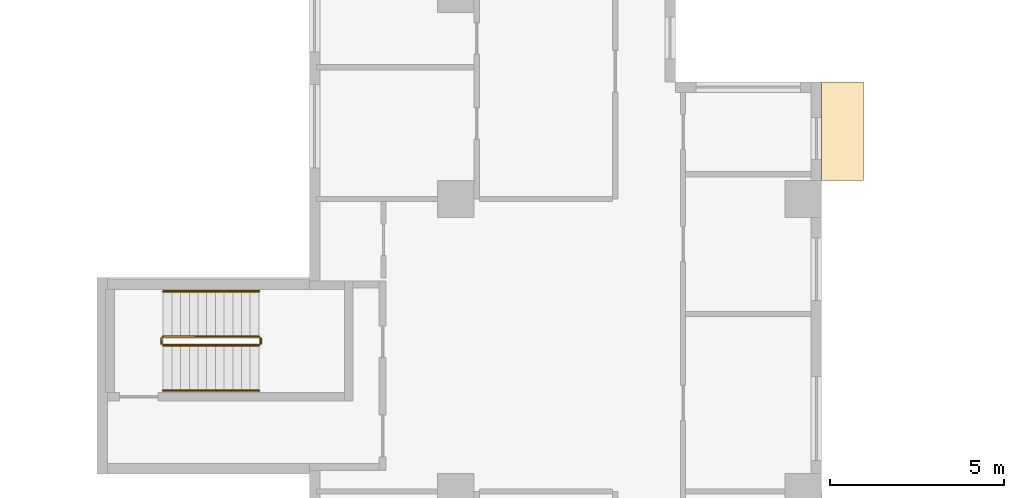
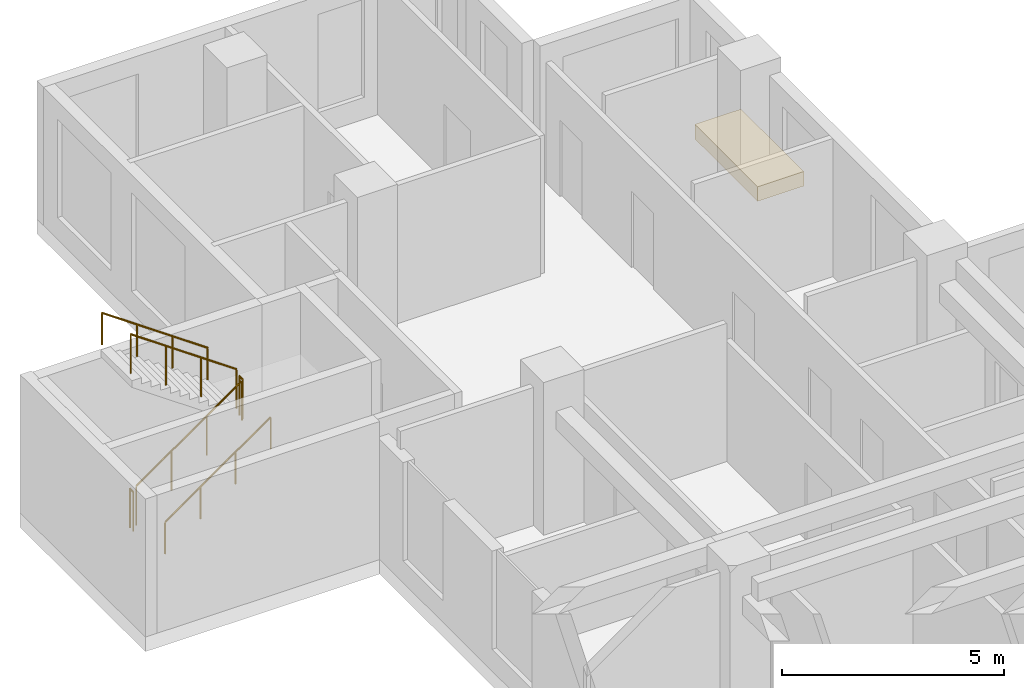
# One storey, part 14 of 15: 6 railings, 1 covering.
"""IFC4 building model written with IfcOpenShell, lengths in metres."""

from ifc_helpers import new_model, si_unit, direction, frame, origin, origin_2d, place, context, subcontext, project, spatial, polyline, circle, outline, extrude, source, transform, mapped, material, type_object, element, save


model = new_model("IFC4")

# Units and contexts
model_context = context("Model", 3, precision=1e-05, world=origin(), true_north=direction((0.0, 1.0)))
body_context = subcontext(model_context, "Body", "Model", "MODEL_VIEW")
ifc_project = project(units=[si_unit("LENGTHUNIT", "METRE"), si_unit("AREAUNIT", "SQUARE_METRE"), si_unit("VOLUMEUNIT", "CUBIC_METRE"), si_unit("PLANEANGLEUNIT", "RADIAN"), si_unit("MASSUNIT", "GRAM", prefix="KILO")], contexts=[model_context])

# Site, building, storey
site_placement = place(None, origin())
site = spatial("IfcSite", under=ifc_project, at=site_placement, CompositionType="ELEMENT")
building_placement = place(site_placement, origin())
building = spatial("IfcBuilding", under=site, at=building_placement, Name="Aurelian Terraces", CompositionType="ELEMENT")
storey_placement = place(building_placement, frame((0.0, 0.0, 145.5)))
storey = spatial("IfcBuildingStorey", under=building, at=storey_placement, Name="L32", CompositionType="ELEMENT", Elevation=145.5)

# Covering
ifc_material_1 = material(Name="Terracotta roof tiles on membrane", Category="masonry")
covering_type = type_object("IfcCoveringType", Name="Bay roof cover", PredefinedType="ROOFING", material=ifc_material_1)
covering_placement = place(storey_placement, frame((0.0, 0.0, -0.4)))
element("IfcCovering", 1, at=covering_placement, inside=storey, type_object=covering_type, Name="Bay roof L32 21.00_46.73_22.20_49.56", PredefinedType="ROOFING", context=body_context, shape_type="SweptSolid", body=[
    extrude(outline(polyline([(21.0, 46.725), (21.0, 49.56), (22.2, 49.56), (22.2, 46.725), (21.0, 46.725)])), origin(), (0.0, 0.0, 1.0), 0.4),
])

# Railings
ifc_material_2 = material(Name="Stainless steel", Category="steel")
railing_type_1 = type_object("IfcRailingType", Name="Stair guard 1100", PredefinedType="GUARDRAIL", material=ifc_material_2)
shared_shape_1 = source(origin(), body_context, "Body", "SweptSolid", [
    extrude(circle(Radius=0.024, at=origin_2d()), frame((0.0, 0.0, 1.076), z_axis=(0.0, 1.0, 0.0), x_axis=(-1.0, 0.0, 0.0)), (0.0, 0.0, 1.0), 0.15),
    extrude(circle(Radius=0.021, at=origin_2d()), origin(), (0.0, 0.0, 1.0), 1.052),
    extrude(circle(Radius=0.021, at=origin_2d()), frame((0.0, 0.15, 0.0)), (0.0, 0.0, 1.0), 1.052),
])
for number, where, name in (
    (2, (4.9, 42.05, 2.1), "L32 S3 stair guard 2"),
    (3, (2.05, 42.05, 0.0), "L32 S3 stair guard 4"),
):
    element("IfcRailing", number, at=place(storey_placement, frame(where)), inside=storey, type_object=railing_type_1, Name=name, PredefinedType="GUARDRAIL", context=body_context, shape_type="MappedRepresentation", body=[
        mapped(shared_shape_1, transform((0.0, 0.0, 0.0), scale=1.0)),
    ])
shared_shape_2 = source(origin(), body_context, "Body", "SweptSolid", [
    extrude(circle(Radius=0.024, at=origin_2d()), frame((0.0, 0.0, 1.076), z_axis=(0.819231920519, 0.0, 0.573462344363), x_axis=(0.0, 1.0, 0.0)), (0.0, 0.0, 1.0), 3.3568),
    extrude(circle(Radius=0.021, at=origin_2d()), origin(), (0.0, 0.0, 1.0), 1.052),
    extrude(circle(Radius=0.021, at=origin_2d()), frame((0.9167, 0.0, 0.6417)), (0.0, 0.0, 1.0), 1.052),
    extrude(circle(Radius=0.021, at=origin_2d()), frame((1.8333, 0.0, 1.2833)), (0.0, 0.0, 1.0), 1.052),
    extrude(circle(Radius=0.021, at=origin_2d()), frame((2.75, 0.0, 1.925)), (0.0, 0.0, 1.0), 1.052),
])
railing_1_placement = place(storey_placement, frame((2.1, 42.0, 0.175)))
element("IfcRailing", 4, at=railing_1_placement, inside=storey, type_object=railing_type_1, Name="L32 S3 stair guard 1", PredefinedType="GUARDRAIL", context=body_context, shape_type="MappedRepresentation", body=[
    mapped(shared_shape_2, transform((0.0, 0.0, 0.0), scale=1.0)),
])
shared_shape_3 = source(origin(), body_context, "Body", "SweptSolid", [
    extrude(circle(Radius=0.024, at=origin_2d()), frame((0.0, 0.0, 1.076), z_axis=(-0.819231920519, 0.0, 0.573462344363), x_axis=(0.0, -1.0, 0.0)), (0.0, 0.0, 1.0), 3.3568),
    extrude(circle(Radius=0.021, at=origin_2d()), origin(), (0.0, 0.0, 1.0), 1.052),
    extrude(circle(Radius=0.021, at=origin_2d()), frame((-0.9167, 0.0, 0.6417)), (0.0, 0.0, 1.0), 1.052),
    extrude(circle(Radius=0.021, at=origin_2d()), frame((-1.8333, 0.0, 1.2833)), (0.0, 0.0, 1.0), 1.052),
    extrude(circle(Radius=0.021, at=origin_2d()), frame((-2.75, 0.0, 1.925)), (0.0, 0.0, 1.0), 1.052),
])
railing_2_placement = place(storey_placement, frame((4.85, 42.25, 2.275)))
element("IfcRailing", 5, at=railing_2_placement, inside=storey, type_object=railing_type_1, Name="L32 S3 stair guard 3", PredefinedType="GUARDRAIL", context=body_context, shape_type="MappedRepresentation", body=[
    mapped(shared_shape_3, transform((0.0, 0.0, 0.0), scale=1.0)),
])
railing_type_2 = type_object("IfcRailingType", Name="Stair handrail", PredefinedType="HANDRAIL", material=ifc_material_2)
shared_shape_4 = source(origin(), body_context, "Body", "SweptSolid", [
    extrude(circle(Radius=0.024, at=origin_2d()), frame((0.0, 0.0, 0.876), z_axis=(0.819231920519, 0.0, 0.573462344363), x_axis=(0.0, 1.0, 0.0)), (0.0, 0.0, 1.0), 3.3568),
    extrude(circle(Radius=0.021, at=origin_2d()), origin(), (0.0, 0.0, 1.0), 0.852),
    extrude(circle(Radius=0.021, at=origin_2d()), frame((0.9167, 0.0, 0.6417)), (0.0, 0.0, 1.0), 0.852),
    extrude(circle(Radius=0.021, at=origin_2d()), frame((1.8333, 0.0, 1.2833)), (0.0, 0.0, 1.0), 0.852),
    extrude(circle(Radius=0.021, at=origin_2d()), frame((2.75, 0.0, 1.925)), (0.0, 0.0, 1.0), 0.852),
])
railing_3_placement = place(storey_placement, frame((2.1, 40.7, 0.175)))
element("IfcRailing", 6, at=railing_3_placement, inside=storey, type_object=railing_type_2, Name="L32 S3 stair handrail 1", PredefinedType="HANDRAIL", context=body_context, shape_type="MappedRepresentation", body=[
    mapped(shared_shape_4, transform((0.0, 0.0, 0.0), scale=1.0)),
])
shared_shape_5 = source(origin(), body_context, "Body", "SweptSolid", [
    extrude(circle(Radius=0.024, at=origin_2d()), frame((0.0, 0.0, 0.876), z_axis=(-0.819231920519, 0.0, 0.573462344363), x_axis=(0.0, -1.0, 0.0)), (0.0, 0.0, 1.0), 3.3568),
    extrude(circle(Radius=0.021, at=origin_2d()), origin(), (0.0, 0.0, 1.0), 0.852),
    extrude(circle(Radius=0.021, at=origin_2d()), frame((-0.9167, 0.0, 0.6417)), (0.0, 0.0, 1.0), 0.852),
    extrude(circle(Radius=0.021, at=origin_2d()), frame((-1.8333, 0.0, 1.2833)), (0.0, 0.0, 1.0), 0.852),
    extrude(circle(Radius=0.021, at=origin_2d()), frame((-2.75, 0.0, 1.925)), (0.0, 0.0, 1.0), 0.852),
])
railing_4_placement = place(storey_placement, frame((4.85, 43.55, 2.275)))
element("IfcRailing", 7, at=railing_4_placement, inside=storey, type_object=railing_type_2, Name="L32 S3 stair handrail 2", PredefinedType="HANDRAIL", context=body_context, shape_type="MappedRepresentation", body=[
    mapped(shared_shape_5, transform((0.0, 0.0, 0.0), scale=1.0)),
])

save(model, "model.ifc")
